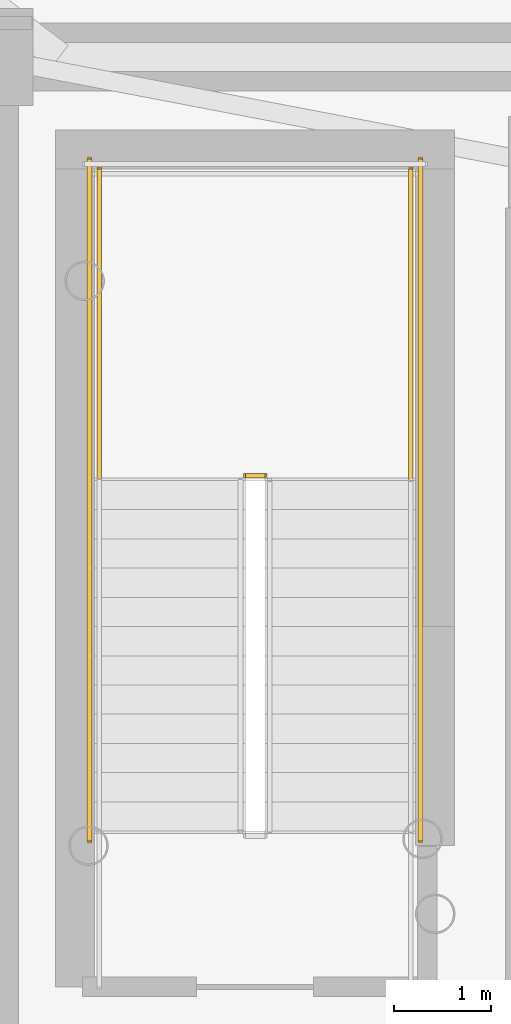
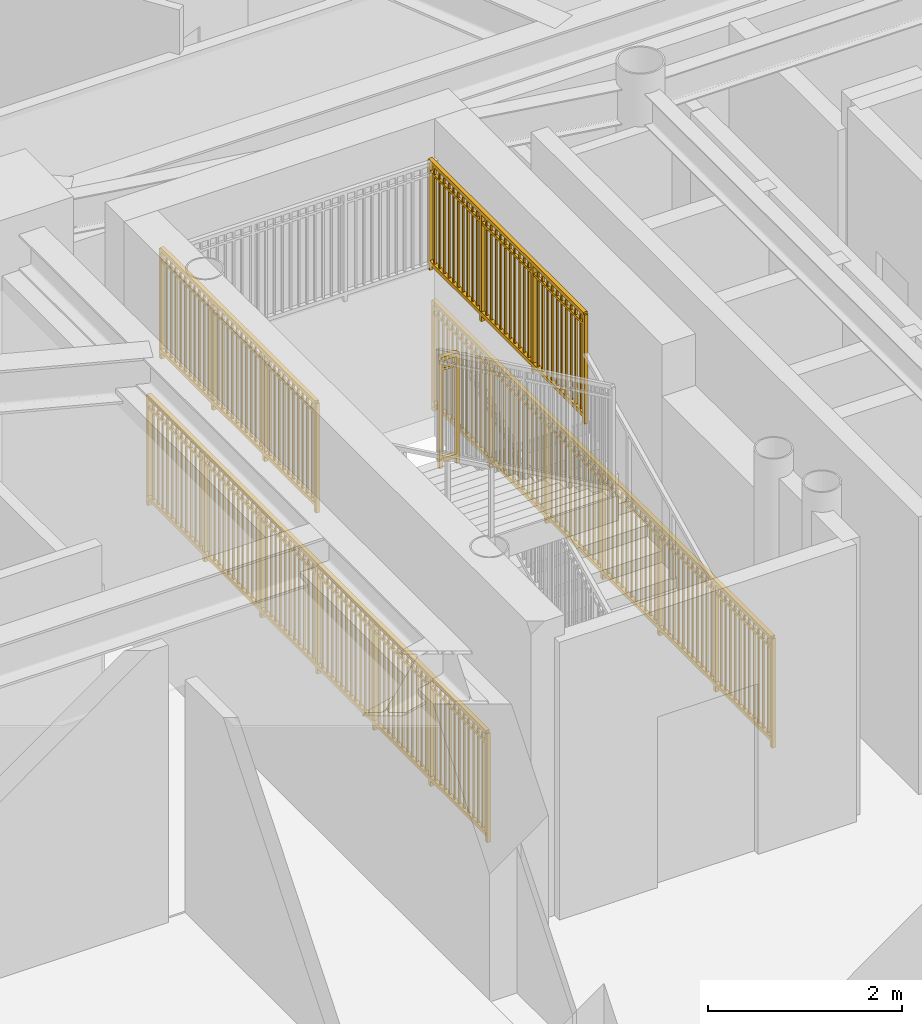
# One storey, part 15 of 19: 5 railings.
"""IFC4 building model written with IfcOpenShell, lengths in metres."""

import ifcopenshell
import ifcopenshell.guid

model = None  # the IFC model being written
_history = None  # IfcOwnerHistory: only IFC2X3 demands one
_inside = {}  # id of a spatial element -> (the spatial element, [elements in it])
_under = {}  # id of a project, library or spatial element -> (it, [spatial elements below it])
_declared = {}  # id of a project -> (the project, [libraries it declares])
_typed = {}  # id of a type object -> (the type object, [elements of that type])
_made_of = {}  # id of a material, layer set ... -> (it, [elements and type objects made of it])


def new_model(schema):
    """Start an empty IFC model of exactly this schema.

    Asked for "IFC4X3", IfcOpenShell would pick the latest addendum, in which some entities
    have other attributes; the version numbers below select the first issue.
    IFC2X3 requires an IfcOwnerHistory on every rooted entity: one is made here for all.
    """
    global model, _history
    if schema == "IFC4X3":
        model = ifcopenshell.file(schema_version=(4, 3, 0, 0))
    else:
        model = ifcopenshell.file(schema=schema)
    _inside.clear()
    _under.clear()
    _declared.clear()
    _typed.clear()
    _made_of.clear()
    _history = None
    if model.schema == "IFC2X3":
        org = make("IfcOrganization", Name="unknown")
        user = make(
            "IfcPersonAndOrganization",
            ThePerson=make("IfcPerson", FamilyName="unknown"),
            TheOrganization=org,
        )
        app = make(
            "IfcApplication",
            ApplicationDeveloper=org,
            Version="unknown",
            ApplicationFullName="unknown",
            ApplicationIdentifier="unknown",
        )
        _history = make(
            "IfcOwnerHistory",
            OwningUser=user,
            OwningApplication=app,
            ChangeAction="ADDED",
            CreationDate=0,
        )
    return model


def make(cls, **values):
    """One entity of the class cls with the attributes given. An attribute that is None is left unset."""
    return model.create_entity(
        cls, **{name: value for name, value in values.items() if value is not None}
    )


def rooted(cls, **values):
    """An entity with a GlobalId (a new one), such as an element, a storey or a relation."""
    return make(cls, GlobalId=ifcopenshell.guid.new(), OwnerHistory=_history, **values)


def si_unit(unit_type, name, prefix=None):
    """IfcSIUnit, for example si_unit("LENGTHUNIT", "METRE", prefix="MILLI")."""
    return make("IfcSIUnit", UnitType=unit_type, Prefix=prefix, Name=name)


def assignment(units):
    """IfcUnitAssignment: the units of a project."""
    return None if units is None else make("IfcUnitAssignment", Units=units)


def point(xyz):
    """IfcCartesianPoint."""
    return None if xyz is None else make("IfcCartesianPoint", Coordinates=xyz)


def direction(xyz):
    """IfcDirection."""
    return None if xyz is None else make("IfcDirection", DirectionRatios=xyz)


def frame(location, z_axis=None, x_axis=None):
    """IfcAxis2Placement3D, a coordinate frame: its origin and axes. An axis left out is left unset."""
    return make(
        "IfcAxis2Placement3D",
        Location=point(location),
        Axis=direction(z_axis),
        RefDirection=direction(x_axis),
    )


def frame_2d(location, x_axis=None):
    """IfcAxis2Placement2D, a coordinate frame in the plane: its origin and x axis."""
    return make(
        "IfcAxis2Placement2D", Location=point(location), RefDirection=direction(x_axis)
    )


def origin():
    """The frame at (0, 0, 0) with its axes left unset."""
    return frame((0.0, 0.0, 0.0))


def origin_2d():
    """The frame at (0, 0) in the plane with its x axis left unset."""
    return frame_2d((0.0, 0.0))


def place(relative_to, where):
    """IfcLocalPlacement: puts the frame where relative to a parent placement (None: the world)."""
    return make(
        "IfcLocalPlacement", PlacementRelTo=relative_to, RelativePlacement=where
    )


def context(
    kind, dimensions, precision=None, world=None, true_north=None, identifier=None
):
    """IfcGeometricRepresentationContext, for example the 3D "Model" context."""
    return make(
        "IfcGeometricRepresentationContext",
        ContextIdentifier=identifier,
        ContextType=kind,
        CoordinateSpaceDimension=dimensions,
        Precision=precision,
        WorldCoordinateSystem=world,
        TrueNorth=true_north,
    )


def subcontext(parent, identifier, kind, view, scale=None):
    """IfcGeometricRepresentationSubContext, for example "Body" below "Model"."""
    return make(
        "IfcGeometricRepresentationSubContext",
        ContextIdentifier=identifier,
        ContextType=kind,
        ParentContext=parent,
        TargetScale=scale,
        TargetView=view,
    )


def project(units=None, contexts=None):
    """IfcProject with its units and contexts."""
    return rooted(
        "IfcProject",
        Name="project",
        RepresentationContexts=contexts,
        UnitsInContext=assignment(units),
    )


def spatial(cls, under=None, at=None, **own):
    """A site, building, storey or space (cls), placed at a placement, below another one or the project."""
    s = rooted(cls, ObjectPlacement=at, **own)
    if under is not None:
        _under.setdefault(under.id(), (under, []))[1].append(s)
    return s


def profile(cls, at=None, kind="AREA", **sizes):
    """A parametric profile (cls). Its sizes go by their IFC names, for example OverallWidth=200.0."""
    return make(cls, ProfileType=kind, Position=at, **sizes)


def rectangle(**sizes):
    """IfcRectangleProfileDef."""
    return profile("IfcRectangleProfileDef", **sizes)


def extrude(swept, where, along, depth):
    """IfcExtrudedAreaSolid: the profile swept, set in the frame where, extruded along a direction by depth."""
    return make(
        "IfcExtrudedAreaSolid",
        SweptArea=swept,
        Position=where,
        ExtrudedDirection=direction(along),
        Depth=depth,
    )


def shape(context_of_items, identifier, shape_type, items):
    """IfcShapeRepresentation: the items that make up one representation, for example the "Body"."""
    return make(
        "IfcShapeRepresentation",
        ContextOfItems=context_of_items,
        RepresentationIdentifier=identifier,
        RepresentationType=shape_type,
        Items=items,
    )


def source(mapping_origin, context_of_items, identifier, shape_type, items):
    """IfcRepresentationMap: a shape defined once, which mapped items show again and again."""
    return make(
        "IfcRepresentationMap",
        MappingOrigin=mapping_origin,
        MappedRepresentation=shape(context_of_items, identifier, shape_type, items),
    )


def transform(
    local_origin,
    x_axis=None,
    y_axis=None,
    z_axis=None,
    scale=None,
    scale2=None,
    scale3=None,
    uniform=True,
):
    """IfcCartesianTransformationOperator3D, or its non-uniform kind. x_axis, y_axis, z_axis: its Axis1, 2, 3."""
    if uniform:
        return make(
            "IfcCartesianTransformationOperator3D",
            Axis1=direction(x_axis),
            Axis2=direction(y_axis),
            LocalOrigin=point(local_origin),
            Scale=scale,
            Axis3=direction(z_axis),
        )
    return make(
        "IfcCartesianTransformationOperator3DnonUniform",
        Axis1=direction(x_axis),
        Axis2=direction(y_axis),
        LocalOrigin=point(local_origin),
        Scale=scale,
        Axis3=direction(z_axis),
        Scale2=scale2,
        Scale3=scale3,
    )


def mapped(mapping_source, mapping_target):
    """IfcMappedItem: shows the shape of a source again, moved by a transform."""
    return make(
        "IfcMappedItem", MappingSource=mapping_source, MappingTarget=mapping_target
    )


def material(Name=None, Category=None):
    """IfcMaterial."""
    return make("IfcMaterial", Name=Name, Category=Category)


def made_of(thing, what):
    """Note that an element or type object is made of a material, layer set ...; save() writes the relation."""
    if what is not None:
        _made_of.setdefault(what.id(), (what, []))[1].append(thing)
    return thing


def type_object(cls, material=None, **own):
    """A type object (cls), such as IfcWallType, which elements share."""
    return made_of(rooted(cls, **own), material)


def element(
    cls,
    number,
    at=None,
    inside=None,
    cuts=None,
    type_object=None,
    material=None,
    context=None,
    identifier="Body",
    shape_type=None,
    held_by="IfcProductDefinitionShape",
    body=None,
    shapes=None,
    **own,
):
    """One element of the class cls, such as IfcWall. Its Tag is "e" and its number.

    at: its placement. inside: the storey or other place that contains it. cuts: it is an
    opening in that element (IfcRelVoidsElement). A single representation is given by context,
    identifier, shape_type and body (its items); several are given by shapes. held_by: the class
    of the entity that holds the representations. save() writes the other relations.
    """
    e = rooted(cls, Tag="e%d" % number, ObjectPlacement=at, **own)
    if body is not None:
        shapes = [shape(context, identifier, shape_type, body)]
    if shapes is not None:
        e.Representation = make(held_by, Representations=shapes)
    if inside is not None:
        _inside.setdefault(inside.id(), (inside, []))[1].append(e)
    if cuts is not None:
        rooted(
            "IfcRelVoidsElement", RelatingBuildingElement=cuts, RelatedOpeningElement=e
        )
    if type_object is not None:
        _typed.setdefault(type_object.id(), (type_object, []))[1].append(e)
    return made_of(e, material)


def aggregate(whole, parts):
    """IfcRelAggregates: a whole, such as a stair, and the parts it consists of."""
    return rooted("IfcRelAggregates", RelatingObject=whole, RelatedObjects=parts)


def save(model, path):
    """Write the relations noted so far, then the file.

    IfcRelAggregates (storeys below a building ...), IfcRelContainedInSpatialStructure (elements
    in a storey), IfcRelDefinesByType, IfcRelAssociatesMaterial and IfcRelDeclares: one each for
    every whole, place, type object, material and project.
    """
    for whole, parts in _under.values():
        aggregate(whole, parts)
    for where, things in _inside.values():
        rooted(
            "IfcRelContainedInSpatialStructure",
            RelatedElements=things,
            RelatingStructure=where,
        )
    for kind, things in _typed.values():
        rooted("IfcRelDefinesByType", RelatedObjects=things, RelatingType=kind)
    for what, things in _made_of.values():
        rooted("IfcRelAssociatesMaterial", RelatedObjects=things, RelatingMaterial=what)
    for by, libraries in _declared.values():
        rooted("IfcRelDeclares", RelatingContext=by, RelatedDefinitions=libraries)
    model.write(path)


model = new_model("IFC4")

# Units and contexts
model_context = context("Model", 3, precision=1e-05, world=origin(), true_north=direction((0.0, 1.0)))
body_context = subcontext(model_context, "Body", "Model", "MODEL_VIEW")
ifc_project = project(units=[si_unit("LENGTHUNIT", "METRE"), si_unit("AREAUNIT", "SQUARE_METRE"), si_unit("VOLUMEUNIT", "CUBIC_METRE"), si_unit("PLANEANGLEUNIT", "RADIAN"), si_unit("MASSUNIT", "GRAM", prefix="KILO")], contexts=[model_context])

# Site, building, storey
site_placement = place(None, origin())
site = spatial("IfcSite", under=ifc_project, at=site_placement, CompositionType="ELEMENT")
building_placement = place(site_placement, origin())
building = spatial("IfcBuilding", under=site, at=building_placement, Name="Linh Dai School and Residence Tower", CompositionType="ELEMENT")
storey_placement = place(building_placement, frame((0.0, 0.0, 217.800048828125)))
storey = spatial("IfcBuildingStorey", under=building, at=storey_placement, Name="L53", CompositionType="ELEMENT", Elevation=217.800048828125)

# Railings
ifc_material = material(Name="Structural Steel S355JR", Category="steel")
railing_type = type_object("IfcRailingType", Name="RL-ST-GUARD-1400", PredefinedType="GUARDRAIL", material=ifc_material)
shared_shape_1 = source(origin(), body_context, "Body", "SweptSolid", [
    extrude(rectangle(XDim=0.048095703125, YDim=0.048095703125, at=origin_2d()), frame((0.0, 0.0, 1.3759765625), z_axis=(-1.0, 0.0, 0.0), x_axis=(0.0, -1.0, 0.0)), (0.0, 0.0, 1.0), 0.199951171875),
    extrude(rectangle(XDim=0.048095703125, YDim=0.048095703125, at=origin_2d()), frame((0.0, 0.0, 0.10009765625), z_axis=(-1.0, 0.0, 0.0), x_axis=(0.0, -1.0, 0.0)), (0.0, 0.0, 1.0), 0.199951171875),
    extrude(rectangle(XDim=0.030029296875, YDim=0.030029296875, at=origin_2d()), frame((0.0, 0.0, 1.239990234375), z_axis=(-1.0, 0.0, 0.0), x_axis=(0.0, -1.0, 0.0)), (0.0, 0.0, 1.0), 0.199951171875),
    extrude(rectangle(XDim=0.0419921875, YDim=0.0419921875, at=origin_2d()), origin(), (0.0, 0.0, 1.0), 1.3759765625),
    extrude(rectangle(XDim=0.0419921875, YDim=0.0419921875, at=origin_2d()), frame((-0.199951171875, 0.0, 0.0)), (0.0, 0.0, 1.0), 1.3759765625),
])
railing_placement = place(storey_placement, frame((29.429931640625, 29.35009765625, 1.875)))
element("IfcRailing", 1, at=railing_placement, inside=storey, type_object=railing_type, Name="L53 ST1 stair guard 2", PredefinedType="GUARDRAIL", context=body_context, shape_type="MappedRepresentation", body=[
    mapped(shared_shape_1, transform((0.0, 0.0, 0.0), x_axis=(1.0, 0.0, 0.0), y_axis=(0.0, 1.0, 0.0), z_axis=(0.0, 0.0, 1.0), scale=1.0)),
])
shared_shape_2 = source(origin(), body_context, "Body", "SweptSolid", [
    extrude(rectangle(XDim=0.048095703125, YDim=0.048095703125, at=origin_2d()), frame((0.0, 0.0, 1.3759765625), z_axis=(0.0, 1.0, 0.0), x_axis=(-1.0, 0.0, 0.0)), (0.0, 0.0, 1.0), 7.0),
    extrude(rectangle(XDim=0.048095703125, YDim=0.048095703125, at=origin_2d()), frame((0.0, 0.0, 0.10009765625), z_axis=(0.0, 1.0, 0.0), x_axis=(-1.0, 0.0, 0.0)), (0.0, 0.0, 1.0), 7.0),
    extrude(rectangle(XDim=0.030029296875, YDim=0.030029296875, at=origin_2d()), frame((0.0, 0.0, 1.239990234375), z_axis=(0.0, 1.0, 0.0), x_axis=(-1.0, 0.0, 0.0)), (0.0, 0.0, 1.0), 7.0),
    extrude(rectangle(XDim=0.02001953125, YDim=0.02001953125, at=origin_2d()), frame((0.0, 0.09716796875, 0.10009765625)), (0.0, 0.0, 1.0), 1.251708984375),
    extrude(rectangle(XDim=0.02001953125, YDim=0.02001953125, at=origin_2d()), frame((0.0, 0.1943359375, 0.10009765625)), (0.0, 0.0, 1.0), 1.251708984375),
    extrude(rectangle(XDim=0.02001953125, YDim=0.02001953125, at=origin_2d()), frame((0.0, 0.291748046875, 0.10009765625)), (0.0, 0.0, 1.0), 1.251708984375),
    extrude(rectangle(XDim=0.02001953125, YDim=0.02001953125, at=origin_2d()), frame((0.0, 0.388916015625, 0.10009765625)), (0.0, 0.0, 1.0), 1.251708984375),
    extrude(rectangle(XDim=0.02001953125, YDim=0.02001953125, at=origin_2d()), frame((0.0, 0.486083984375, 0.10009765625)), (0.0, 0.0, 1.0), 1.251708984375),
    extrude(rectangle(XDim=0.02001953125, YDim=0.02001953125, at=origin_2d()), frame((0.0, 0.583251953125, 0.10009765625)), (0.0, 0.0, 1.0), 1.251708984375),
    extrude(rectangle(XDim=0.02001953125, YDim=0.02001953125, at=origin_2d()), frame((0.0, 0.6806640625, 0.10009765625)), (0.0, 0.0, 1.0), 1.251708984375),
    extrude(rectangle(XDim=0.02001953125, YDim=0.02001953125, at=origin_2d()), frame((0.0, 0.77783203125, 0.10009765625)), (0.0, 0.0, 1.0), 1.251708984375),
    extrude(rectangle(XDim=0.02001953125, YDim=0.02001953125, at=origin_2d()), frame((0.0, 0.875, 0.10009765625)), (0.0, 0.0, 1.0), 1.251708984375),
    extrude(rectangle(XDim=0.02001953125, YDim=0.02001953125, at=origin_2d()), frame((0.0, 0.97216796875, 0.10009765625)), (0.0, 0.0, 1.0), 1.251708984375),
    extrude(rectangle(XDim=0.02001953125, YDim=0.02001953125, at=origin_2d()), frame((0.0, 1.0693359375, 0.10009765625)), (0.0, 0.0, 1.0), 1.251708984375),
    extrude(rectangle(XDim=0.02001953125, YDim=0.02001953125, at=origin_2d()), frame((0.0, 1.263916015625, 0.10009765625)), (0.0, 0.0, 1.0), 1.251708984375),
    extrude(rectangle(XDim=0.02001953125, YDim=0.02001953125, at=origin_2d()), frame((0.0, 1.361083984375, 0.10009765625)), (0.0, 0.0, 1.0), 1.251708984375),
    extrude(rectangle(XDim=0.02001953125, YDim=0.02001953125, at=origin_2d()), frame((0.0, 1.458251953125, 0.10009765625)), (0.0, 0.0, 1.0), 1.251708984375),
    extrude(rectangle(XDim=0.02001953125, YDim=0.02001953125, at=origin_2d()), frame((0.0, 1.5556640625, 0.10009765625)), (0.0, 0.0, 1.0), 1.251708984375),
    extrude(rectangle(XDim=0.02001953125, YDim=0.02001953125, at=origin_2d()), frame((0.0, 1.65283203125, 0.10009765625)), (0.0, 0.0, 1.0), 1.251708984375),
    extrude(rectangle(XDim=0.02001953125, YDim=0.02001953125, at=origin_2d()), frame((0.0, 1.75, 0.10009765625)), (0.0, 0.0, 1.0), 1.251708984375),
    extrude(rectangle(XDim=0.02001953125, YDim=0.02001953125, at=origin_2d()), frame((0.0, 1.84716796875, 0.10009765625)), (0.0, 0.0, 1.0), 1.251708984375),
    extrude(rectangle(XDim=0.02001953125, YDim=0.02001953125, at=origin_2d()), frame((0.0, 1.9443359375, 0.10009765625)), (0.0, 0.0, 1.0), 1.251708984375),
    extrude(rectangle(XDim=0.02001953125, YDim=0.02001953125, at=origin_2d()), frame((0.0, 2.041748046875, 0.10009765625)), (0.0, 0.0, 1.0), 1.251708984375),
    extrude(rectangle(XDim=0.02001953125, YDim=0.02001953125, at=origin_2d()), frame((0.0, 2.138916015625, 0.10009765625)), (0.0, 0.0, 1.0), 1.251708984375),
    extrude(rectangle(XDim=0.02001953125, YDim=0.02001953125, at=origin_2d()), frame((0.0, 2.236083984375, 0.10009765625)), (0.0, 0.0, 1.0), 1.251708984375),
    extrude(rectangle(XDim=0.02001953125, YDim=0.02001953125, at=origin_2d()), frame((0.0, 2.4306640625, 0.10009765625)), (0.0, 0.0, 1.0), 1.251708984375),
    extrude(rectangle(XDim=0.02001953125, YDim=0.02001953125, at=origin_2d()), frame((0.0, 2.52783203125, 0.10009765625)), (0.0, 0.0, 1.0), 1.251708984375),
    extrude(rectangle(XDim=0.02001953125, YDim=0.02001953125, at=origin_2d()), frame((0.0, 2.625, 0.10009765625)), (0.0, 0.0, 1.0), 1.251708984375),
    extrude(rectangle(XDim=0.02001953125, YDim=0.02001953125, at=origin_2d()), frame((0.0, 2.72216796875, 0.10009765625)), (0.0, 0.0, 1.0), 1.251708984375),
    extrude(rectangle(XDim=0.02001953125, YDim=0.02001953125, at=origin_2d()), frame((0.0, 2.8193359375, 0.10009765625)), (0.0, 0.0, 1.0), 1.251708984375),
    extrude(rectangle(XDim=0.02001953125, YDim=0.02001953125, at=origin_2d()), frame((0.0, 2.916748046875, 0.10009765625)), (0.0, 0.0, 1.0), 1.251708984375),
    extrude(rectangle(XDim=0.02001953125, YDim=0.02001953125, at=origin_2d()), frame((0.0, 3.013916015625, 0.10009765625)), (0.0, 0.0, 1.0), 1.251708984375),
    extrude(rectangle(XDim=0.02001953125, YDim=0.02001953125, at=origin_2d()), frame((0.0, 3.111083984375, 0.10009765625)), (0.0, 0.0, 1.0), 1.251708984375),
    extrude(rectangle(XDim=0.02001953125, YDim=0.02001953125, at=origin_2d()), frame((0.0, 3.208251953125, 0.10009765625)), (0.0, 0.0, 1.0), 1.251708984375),
    extrude(rectangle(XDim=0.02001953125, YDim=0.02001953125, at=origin_2d()), frame((0.0, 3.3056640625, 0.10009765625)), (0.0, 0.0, 1.0), 1.251708984375),
    extrude(rectangle(XDim=0.02001953125, YDim=0.02001953125, at=origin_2d()), frame((0.0, 3.40283203125, 0.10009765625)), (0.0, 0.0, 1.0), 1.251708984375),
    extrude(rectangle(XDim=0.02001953125, YDim=0.02001953125, at=origin_2d()), frame((0.0, 3.59716796875, 0.10009765625)), (0.0, 0.0, 1.0), 1.251708984375),
    extrude(rectangle(XDim=0.02001953125, YDim=0.02001953125, at=origin_2d()), frame((0.0, 3.6943359375, 0.10009765625)), (0.0, 0.0, 1.0), 1.251708984375),
    extrude(rectangle(XDim=0.02001953125, YDim=0.02001953125, at=origin_2d()), frame((0.0, 3.791748046875, 0.10009765625)), (0.0, 0.0, 1.0), 1.251708984375),
    extrude(rectangle(XDim=0.02001953125, YDim=0.02001953125, at=origin_2d()), frame((0.0, 3.888916015625, 0.10009765625)), (0.0, 0.0, 1.0), 1.251708984375),
    extrude(rectangle(XDim=0.02001953125, YDim=0.02001953125, at=origin_2d()), frame((0.0, 3.986083984375, 0.10009765625)), (0.0, 0.0, 1.0), 1.251708984375),
    extrude(rectangle(XDim=0.02001953125, YDim=0.02001953125, at=origin_2d()), frame((0.0, 4.083251953125, 0.10009765625)), (0.0, 0.0, 1.0), 1.251708984375),
    extrude(rectangle(XDim=0.02001953125, YDim=0.02001953125, at=origin_2d()), frame((0.0, 4.1806640625, 0.10009765625)), (0.0, 0.0, 1.0), 1.251708984375),
    extrude(rectangle(XDim=0.02001953125, YDim=0.02001953125, at=origin_2d()), frame((0.0, 4.27783203125, 0.10009765625)), (0.0, 0.0, 1.0), 1.251708984375),
    extrude(rectangle(XDim=0.02001953125, YDim=0.02001953125, at=origin_2d()), frame((0.0, 4.375, 0.10009765625)), (0.0, 0.0, 1.0), 1.251708984375),
    extrude(rectangle(XDim=0.02001953125, YDim=0.02001953125, at=origin_2d()), frame((0.0, 4.47216796875, 0.10009765625)), (0.0, 0.0, 1.0), 1.251708984375),
    extrude(rectangle(XDim=0.02001953125, YDim=0.02001953125, at=origin_2d()), frame((0.0, 4.5693359375, 0.10009765625)), (0.0, 0.0, 1.0), 1.251708984375),
    extrude(rectangle(XDim=0.02001953125, YDim=0.02001953125, at=origin_2d()), frame((0.0, 4.763916015625, 0.10009765625)), (0.0, 0.0, 1.0), 1.251708984375),
    extrude(rectangle(XDim=0.02001953125, YDim=0.02001953125, at=origin_2d()), frame((0.0, 4.861083984375, 0.10009765625)), (0.0, 0.0, 1.0), 1.251708984375),
    extrude(rectangle(XDim=0.02001953125, YDim=0.02001953125, at=origin_2d()), frame((0.0, 4.958251953125, 0.10009765625)), (0.0, 0.0, 1.0), 1.251708984375),
    extrude(rectangle(XDim=0.02001953125, YDim=0.02001953125, at=origin_2d()), frame((0.0, 5.0556640625, 0.10009765625)), (0.0, 0.0, 1.0), 1.251708984375),
    extrude(rectangle(XDim=0.02001953125, YDim=0.02001953125, at=origin_2d()), frame((0.0, 5.15283203125, 0.10009765625)), (0.0, 0.0, 1.0), 1.251708984375),
    extrude(rectangle(XDim=0.02001953125, YDim=0.02001953125, at=origin_2d()), frame((0.0, 5.25, 0.10009765625)), (0.0, 0.0, 1.0), 1.251708984375),
    extrude(rectangle(XDim=0.02001953125, YDim=0.02001953125, at=origin_2d()), frame((0.0, 5.34716796875, 0.10009765625)), (0.0, 0.0, 1.0), 1.251708984375),
    extrude(rectangle(XDim=0.02001953125, YDim=0.02001953125, at=origin_2d()), frame((0.0, 5.4443359375, 0.10009765625)), (0.0, 0.0, 1.0), 1.251708984375),
    extrude(rectangle(XDim=0.02001953125, YDim=0.02001953125, at=origin_2d()), frame((0.0, 5.541748046875, 0.10009765625)), (0.0, 0.0, 1.0), 1.251708984375),
    extrude(rectangle(XDim=0.02001953125, YDim=0.02001953125, at=origin_2d()), frame((0.0, 5.638916015625, 0.10009765625)), (0.0, 0.0, 1.0), 1.251708984375),
    extrude(rectangle(XDim=0.02001953125, YDim=0.02001953125, at=origin_2d()), frame((0.0, 5.736083984375, 0.10009765625)), (0.0, 0.0, 1.0), 1.251708984375),
    extrude(rectangle(XDim=0.02001953125, YDim=0.02001953125, at=origin_2d()), frame((0.0, 5.9306640625, 0.10009765625)), (0.0, 0.0, 1.0), 1.251708984375),
    extrude(rectangle(XDim=0.02001953125, YDim=0.02001953125, at=origin_2d()), frame((0.0, 6.02783203125, 0.10009765625)), (0.0, 0.0, 1.0), 1.251708984375),
    extrude(rectangle(XDim=0.02001953125, YDim=0.02001953125, at=origin_2d()), frame((0.0, 6.125, 0.10009765625)), (0.0, 0.0, 1.0), 1.251708984375),
    extrude(rectangle(XDim=0.02001953125, YDim=0.02001953125, at=origin_2d()), frame((0.0, 6.22216796875, 0.10009765625)), (0.0, 0.0, 1.0), 1.251708984375),
    extrude(rectangle(XDim=0.02001953125, YDim=0.02001953125, at=origin_2d()), frame((0.0, 6.3193359375, 0.10009765625)), (0.0, 0.0, 1.0), 1.251708984375),
    extrude(rectangle(XDim=0.02001953125, YDim=0.02001953125, at=origin_2d()), frame((0.0, 6.416748046875, 0.10009765625)), (0.0, 0.0, 1.0), 1.251708984375),
    extrude(rectangle(XDim=0.02001953125, YDim=0.02001953125, at=origin_2d()), frame((0.0, 6.513916015625, 0.10009765625)), (0.0, 0.0, 1.0), 1.251708984375),
    extrude(rectangle(XDim=0.02001953125, YDim=0.02001953125, at=origin_2d()), frame((0.0, 6.611083984375, 0.10009765625)), (0.0, 0.0, 1.0), 1.251708984375),
    extrude(rectangle(XDim=0.02001953125, YDim=0.02001953125, at=origin_2d()), frame((0.0, 6.708251953125, 0.10009765625)), (0.0, 0.0, 1.0), 1.251708984375),
    extrude(rectangle(XDim=0.02001953125, YDim=0.02001953125, at=origin_2d()), frame((0.0, 6.8056640625, 0.10009765625)), (0.0, 0.0, 1.0), 1.251708984375),
    extrude(rectangle(XDim=0.02001953125, YDim=0.02001953125, at=origin_2d()), frame((0.0, 6.90283203125, 0.10009765625)), (0.0, 0.0, 1.0), 1.251708984375),
    extrude(rectangle(XDim=0.0419921875, YDim=0.0419921875, at=origin_2d()), origin(), (0.0, 0.0, 1.0), 1.3759765625),
    extrude(rectangle(XDim=0.0419921875, YDim=0.0419921875, at=origin_2d()), frame((0.0, 1.166748046875, 0.0)), (0.0, 0.0, 1.0), 1.3759765625),
    extrude(rectangle(XDim=0.0419921875, YDim=0.0419921875, at=origin_2d()), frame((0.0, 2.333251953125, 0.0)), (0.0, 0.0, 1.0), 1.3759765625),
    extrude(rectangle(XDim=0.0419921875, YDim=0.0419921875, at=origin_2d()), frame((0.0, 3.5, 0.0)), (0.0, 0.0, 1.0), 1.3759765625),
    extrude(rectangle(XDim=0.0419921875, YDim=0.0419921875, at=origin_2d()), frame((0.0, 4.666748046875, 0.0)), (0.0, 0.0, 1.0), 1.3759765625),
    extrude(rectangle(XDim=0.0419921875, YDim=0.0419921875, at=origin_2d()), frame((0.0, 5.833251953125, 0.0)), (0.0, 0.0, 1.0), 1.3759765625),
    extrude(rectangle(XDim=0.0419921875, YDim=0.0419921875, at=origin_2d()), frame((0.0, 7.0, 0.0)), (0.0, 0.0, 1.0), 1.3759765625),
])
for number, where, name in (
    (2, (31.030029296875, 25.60009765625, 0.0), "L53 ST1 stair guard 10"),
    (3, (27.6298828125, 25.60009765625, 0.0), "L53 ST1 stair guard 11"),
):
    element("IfcRailing", number, at=place(storey_placement, frame(where)), inside=storey, type_object=railing_type, Name=name, PredefinedType="GUARDRAIL", context=body_context, shape_type="MappedRepresentation", body=[
        mapped(shared_shape_2, transform((0.0, 0.0, 0.0), x_axis=(1.0, 0.0, 0.0), y_axis=(0.0, 1.0, 0.0), z_axis=(0.0, 0.0, 1.0), scale=1.0)),
    ])
shared_shape_3 = source(origin(), body_context, "Body", "SweptSolid", [
    extrude(rectangle(XDim=0.048095703125, YDim=0.048095703125, at=origin_2d()), frame((0.0, 0.0, 1.3759765625), z_axis=(0.0, 1.0, 0.0), x_axis=(-1.0, 0.0, 0.0)), (0.0, 0.0, 1.0), 3.199951171875),
    extrude(rectangle(XDim=0.048095703125, YDim=0.048095703125, at=origin_2d()), frame((0.0, 0.0, 0.10009765625), z_axis=(0.0, 1.0, 0.0), x_axis=(-1.0, 0.0, 0.0)), (0.0, 0.0, 1.0), 3.199951171875),
    extrude(rectangle(XDim=0.030029296875, YDim=0.030029296875, at=origin_2d()), frame((0.0, 0.0, 1.239990234375), z_axis=(0.0, 1.0, 0.0), x_axis=(-1.0, 0.0, 0.0)), (0.0, 0.0, 1.0), 3.199951171875),
    extrude(rectangle(XDim=0.02001953125, YDim=0.02001953125, at=origin_2d()), frame((0.0, 0.096923828125, 0.10009765625)), (0.0, 0.0, 1.0), 1.251708984375),
    extrude(rectangle(XDim=0.02001953125, YDim=0.02001953125, at=origin_2d()), frame((0.0, 0.19384765625, 0.10009765625)), (0.0, 0.0, 1.0), 1.251708984375),
    extrude(rectangle(XDim=0.02001953125, YDim=0.02001953125, at=origin_2d()), frame((0.0, 0.291015625, 0.10009765625)), (0.0, 0.0, 1.0), 1.251708984375),
    extrude(rectangle(XDim=0.02001953125, YDim=0.02001953125, at=origin_2d()), frame((0.0, 0.387939453125, 0.10009765625)), (0.0, 0.0, 1.0), 1.251708984375),
    extrude(rectangle(XDim=0.02001953125, YDim=0.02001953125, at=origin_2d()), frame((0.0, 0.48486328125, 0.10009765625)), (0.0, 0.0, 1.0), 1.251708984375),
    extrude(rectangle(XDim=0.02001953125, YDim=0.02001953125, at=origin_2d()), frame((0.0, 0.581787109375, 0.10009765625)), (0.0, 0.0, 1.0), 1.251708984375),
    extrude(rectangle(XDim=0.02001953125, YDim=0.02001953125, at=origin_2d()), frame((0.0, 0.6787109375, 0.10009765625)), (0.0, 0.0, 1.0), 1.251708984375),
    extrude(rectangle(XDim=0.02001953125, YDim=0.02001953125, at=origin_2d()), frame((0.0, 0.775634765625, 0.10009765625)), (0.0, 0.0, 1.0), 1.251708984375),
    extrude(rectangle(XDim=0.02001953125, YDim=0.02001953125, at=origin_2d()), frame((0.0, 0.872802734375, 0.10009765625)), (0.0, 0.0, 1.0), 1.251708984375),
    extrude(rectangle(XDim=0.02001953125, YDim=0.02001953125, at=origin_2d()), frame((0.0, 0.9697265625, 0.10009765625)), (0.0, 0.0, 1.0), 1.251708984375),
    extrude(rectangle(XDim=0.02001953125, YDim=0.02001953125, at=origin_2d()), frame((0.0, 1.16357421875, 0.10009765625)), (0.0, 0.0, 1.0), 1.251708984375),
    extrude(rectangle(XDim=0.02001953125, YDim=0.02001953125, at=origin_2d()), frame((0.0, 1.260498046875, 0.10009765625)), (0.0, 0.0, 1.0), 1.251708984375),
    extrude(rectangle(XDim=0.02001953125, YDim=0.02001953125, at=origin_2d()), frame((0.0, 1.357666015625, 0.10009765625)), (0.0, 0.0, 1.0), 1.251708984375),
    extrude(rectangle(XDim=0.02001953125, YDim=0.02001953125, at=origin_2d()), frame((0.0, 1.45458984375, 0.10009765625)), (0.0, 0.0, 1.0), 1.251708984375),
    extrude(rectangle(XDim=0.02001953125, YDim=0.02001953125, at=origin_2d()), frame((0.0, 1.551513671875, 0.10009765625)), (0.0, 0.0, 1.0), 1.251708984375),
    extrude(rectangle(XDim=0.02001953125, YDim=0.02001953125, at=origin_2d()), frame((0.0, 1.6484375, 0.10009765625)), (0.0, 0.0, 1.0), 1.251708984375),
    extrude(rectangle(XDim=0.02001953125, YDim=0.02001953125, at=origin_2d()), frame((0.0, 1.745361328125, 0.10009765625)), (0.0, 0.0, 1.0), 1.251708984375),
    extrude(rectangle(XDim=0.02001953125, YDim=0.02001953125, at=origin_2d()), frame((0.0, 1.84228515625, 0.10009765625)), (0.0, 0.0, 1.0), 1.251708984375),
    extrude(rectangle(XDim=0.02001953125, YDim=0.02001953125, at=origin_2d()), frame((0.0, 1.939453125, 0.10009765625)), (0.0, 0.0, 1.0), 1.251708984375),
    extrude(rectangle(XDim=0.02001953125, YDim=0.02001953125, at=origin_2d()), frame((0.0, 2.036376953125, 0.10009765625)), (0.0, 0.0, 1.0), 1.251708984375),
    extrude(rectangle(XDim=0.02001953125, YDim=0.02001953125, at=origin_2d()), frame((0.0, 2.230224609375, 0.10009765625)), (0.0, 0.0, 1.0), 1.251708984375),
    extrude(rectangle(XDim=0.02001953125, YDim=0.02001953125, at=origin_2d()), frame((0.0, 2.3271484375, 0.10009765625)), (0.0, 0.0, 1.0), 1.251708984375),
    extrude(rectangle(XDim=0.02001953125, YDim=0.02001953125, at=origin_2d()), frame((0.0, 2.42431640625, 0.10009765625)), (0.0, 0.0, 1.0), 1.251708984375),
    extrude(rectangle(XDim=0.02001953125, YDim=0.02001953125, at=origin_2d()), frame((0.0, 2.521240234375, 0.10009765625)), (0.0, 0.0, 1.0), 1.251708984375),
    extrude(rectangle(XDim=0.02001953125, YDim=0.02001953125, at=origin_2d()), frame((0.0, 2.6181640625, 0.10009765625)), (0.0, 0.0, 1.0), 1.251708984375),
    extrude(rectangle(XDim=0.02001953125, YDim=0.02001953125, at=origin_2d()), frame((0.0, 2.715087890625, 0.10009765625)), (0.0, 0.0, 1.0), 1.251708984375),
    extrude(rectangle(XDim=0.02001953125, YDim=0.02001953125, at=origin_2d()), frame((0.0, 2.81201171875, 0.10009765625)), (0.0, 0.0, 1.0), 1.251708984375),
    extrude(rectangle(XDim=0.02001953125, YDim=0.02001953125, at=origin_2d()), frame((0.0, 2.908935546875, 0.10009765625)), (0.0, 0.0, 1.0), 1.251708984375),
    extrude(rectangle(XDim=0.02001953125, YDim=0.02001953125, at=origin_2d()), frame((0.0, 3.006103515625, 0.10009765625)), (0.0, 0.0, 1.0), 1.251708984375),
    extrude(rectangle(XDim=0.02001953125, YDim=0.02001953125, at=origin_2d()), frame((0.0, 3.10302734375, 0.10009765625)), (0.0, 0.0, 1.0), 1.251708984375),
    extrude(rectangle(XDim=0.0419921875, YDim=0.0419921875, at=origin_2d()), origin(), (0.0, 0.0, 1.0), 1.3759765625),
    extrude(rectangle(XDim=0.0419921875, YDim=0.0419921875, at=origin_2d()), frame((0.0, 1.066650390625, 0.0)), (0.0, 0.0, 1.0), 1.3759765625),
    extrude(rectangle(XDim=0.0419921875, YDim=0.0419921875, at=origin_2d()), frame((0.0, 2.13330078125, 0.0)), (0.0, 0.0, 1.0), 1.3759765625),
    extrude(rectangle(XDim=0.0419921875, YDim=0.0419921875, at=origin_2d()), frame((0.0, 3.199951171875, 0.0)), (0.0, 0.0, 1.0), 1.3759765625),
])
for number, where, name in (
    (4, (30.929931640625, 29.300048828125, 1.875), "L53 ST1 stair guard 3"),
    (5, (27.72998046875, 29.300048828125, 1.875), "L53 ST1 stair guard 4"),
):
    element("IfcRailing", number, at=place(storey_placement, frame(where)), inside=storey, type_object=railing_type, Name=name, PredefinedType="GUARDRAIL", context=body_context, shape_type="MappedRepresentation", body=[
        mapped(shared_shape_3, transform((0.0, 0.0, 0.0), x_axis=(1.0, 0.0, 0.0), y_axis=(0.0, 1.0, 0.0), z_axis=(0.0, 0.0, 1.0), scale=1.0)),
    ])

save(model, "model.ifc")
